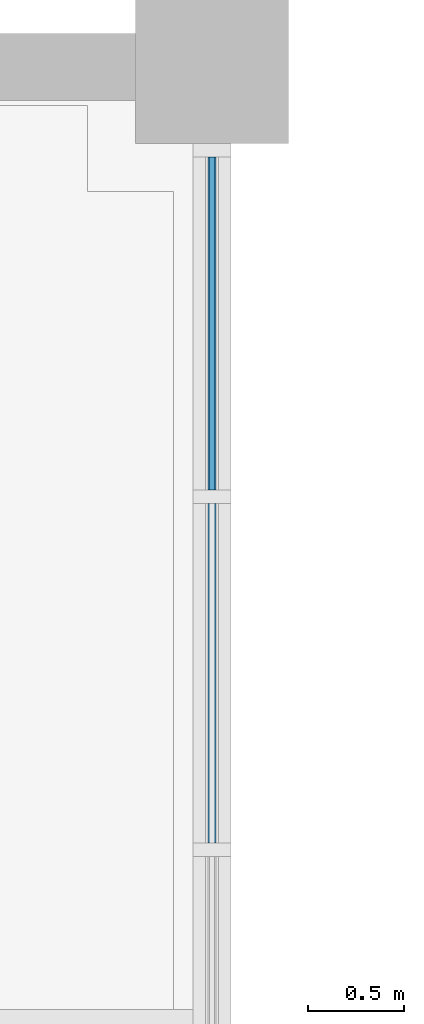
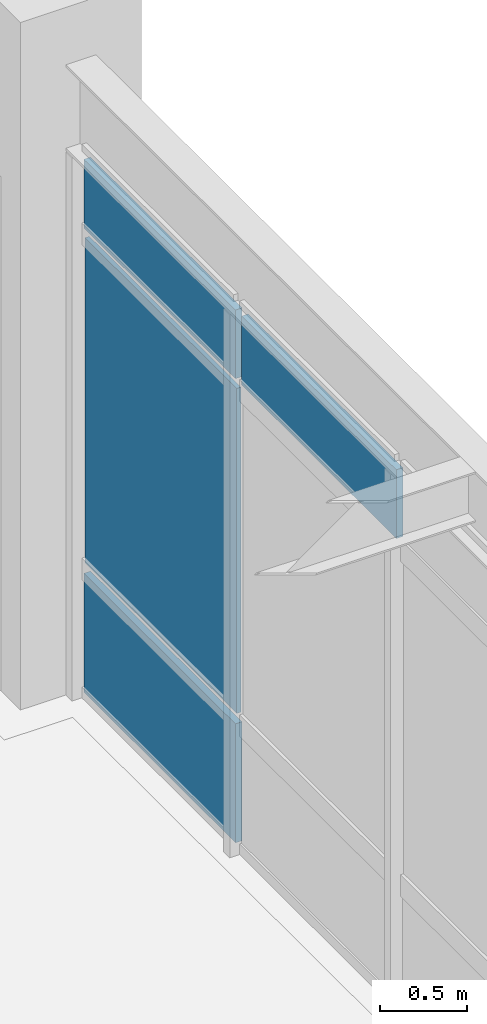
# One storey, part 67 of 109: 4 plates, 1 element without a shape of its own.
"""IFC4 building model written with IfcOpenShell, lengths in metres."""

from ifc_helpers import new_model, si_unit, direction, frame, origin, origin_2d, place, context, subcontext, project, spatial, rectangle, extrude, material, layer, layer_set, type_object, element, aggregate, save


model = new_model("IFC4")

# Units and contexts
model_context = context("Model", 3, precision=1e-05, world=origin(), true_north=direction((0.0, 1.0)))
body_context = subcontext(model_context, "Body", "Model", "MODEL_VIEW")
ifc_project = project(units=[si_unit("LENGTHUNIT", "METRE"), si_unit("AREAUNIT", "SQUARE_METRE"), si_unit("VOLUMEUNIT", "CUBIC_METRE"), si_unit("PLANEANGLEUNIT", "RADIAN"), si_unit("MASSUNIT", "GRAM", prefix="KILO")], contexts=[model_context])

# Site, building, storey
site_placement = place(None, origin())
site = spatial("IfcSite", under=ifc_project, at=site_placement, CompositionType="ELEMENT")
building_placement = place(site_placement, origin())
building = spatial("IfcBuilding", under=site, at=building_placement, Name="Haebicheon Civic Stadium", CompositionType="ELEMENT")
storey_placement = place(building_placement, frame((0.0, 0.0, 9.60009765625)))
storey = spatial("IfcBuildingStorey", under=building, at=storey_placement, Name="L03", CompositionType="ELEMENT", Elevation=9.60009765625)

# Curtain wall, plates
ifc_material_1 = material(Name="Anodised aluminium and laminated glass", Category="aluminium")
ifc_layer_1 = layer(ifc_material_1, 0.179931640625, Name="Anodised aluminium and laminated glass")
ifc_layer_set_1 = layer_set([ifc_layer_1], Name="Anodised aluminium and laminated glass")
curtain_wall_type = type_object("IfcCurtainWallType", Name="CW-9200x3790", PredefinedType="NOTDEFINED", material=ifc_layer_set_1)
curtain_wall_placement = place(storey_placement, origin())
curtain_wall = element("IfcCurtainWall", 1, at=curtain_wall_placement, inside=storey, type_object=curtain_wall_type, material=ifc_layer_set_1, Name="L03 unitised curtain wall 096", PredefinedType="NOTDEFINED")
ifc_material_2 = material(Name="Double low-e laminated glass", Category="glass")
ifc_layer_2 = layer(ifc_material_2, 0.028076171875, Name="Double low-e laminated glass")
ifc_layer_set_2 = layer_set([ifc_layer_2], Name="Double low-e laminated glass")
plate_type_1 = type_object("IfcPlateType", Name="CWP-GLZ-28", PredefinedType="CURTAIN_PANEL", material=ifc_layer_set_2)
plate_1_placement = place(storey_placement, frame((200.0, 176.662109375, 0.934814453125), z_axis=(0.0, 0.0, 1.0), x_axis=(0.0, 1.0, 0.0)))
plate_1 = element("IfcPlate", 2, at=plate_1_placement, type_object=plate_type_1, material=ifc_layer_set_2, Name="CW-L03-096 vision panel 5.2", PredefinedType="CURTAIN_PANEL", context=body_context, shape_type="SweptSolid", body=[
    extrude(rectangle(XDim=1.735107421875, YDim=0.028076171875, at=origin_2d()), origin(), (0.0, 0.0, 1.0), 2.27001953125),
])
ifc_material_3 = material(Name="Anodised aluminium 6063-T6", Category="aluminium")
ifc_layer_3 = layer(ifc_material_3, 0.0439453125, Name="Anodised aluminium 6063-T6")
ifc_layer_set_3 = layer_set([ifc_layer_3], Name="Anodised aluminium 6063-T6")
plate_type_2 = type_object("IfcPlateType", Name="CWP-SPD-44", PredefinedType="CURTAIN_PANEL", material=ifc_layer_set_3)
plate_2_placement = place(storey_placement, frame((200.0, 174.840087890625, 3.27490234375), z_axis=(0.0, 0.0, 1.0), x_axis=(0.0, 1.0, 0.0)))
plate_2 = element("IfcPlate", 3, at=plate_2_placement, type_object=plate_type_2, material=ifc_layer_set_3, Name="CW-L03-096 spandrel panel 4.3", PredefinedType="CURTAIN_PANEL", context=body_context, shape_type="SweptSolid", body=[
    extrude(rectangle(XDim=1.77001953125, YDim=0.0439453125, at=origin_2d()), origin(), (0.0, 0.0, 1.0), 0.47998046875),
])
plate_3_placement = place(storey_placement, frame((200.0, 176.662109375, 0.034912109375), z_axis=(0.0, 0.0, 1.0), x_axis=(0.0, 1.0, 0.0)))
plate_3 = element("IfcPlate", 4, at=plate_3_placement, type_object=plate_type_2, material=ifc_layer_set_3, Name="CW-L03-096 spandrel panel 5.1", PredefinedType="CURTAIN_PANEL", context=body_context, shape_type="SweptSolid", body=[
    extrude(rectangle(XDim=1.735107421875, YDim=0.0439453125, at=origin_2d()), origin(), (0.0, 0.0, 1.0), 0.830078125),
])
plate_4_placement = place(storey_placement, frame((200.0, 176.662109375, 3.27490234375), z_axis=(0.0, 0.0, 1.0), x_axis=(0.0, 1.0, 0.0)))
plate_4 = element("IfcPlate", 5, at=plate_4_placement, type_object=plate_type_2, material=ifc_layer_set_3, Name="CW-L03-096 spandrel panel 5.3", PredefinedType="CURTAIN_PANEL", context=body_context, shape_type="SweptSolid", body=[
    extrude(rectangle(XDim=1.735107421875, YDim=0.0439453125, at=origin_2d()), origin(), (0.0, 0.0, 1.0), 0.47998046875),
])
aggregate(curtain_wall, [plate_2, plate_3, plate_1, plate_4])

save(model, "model.ifc")
